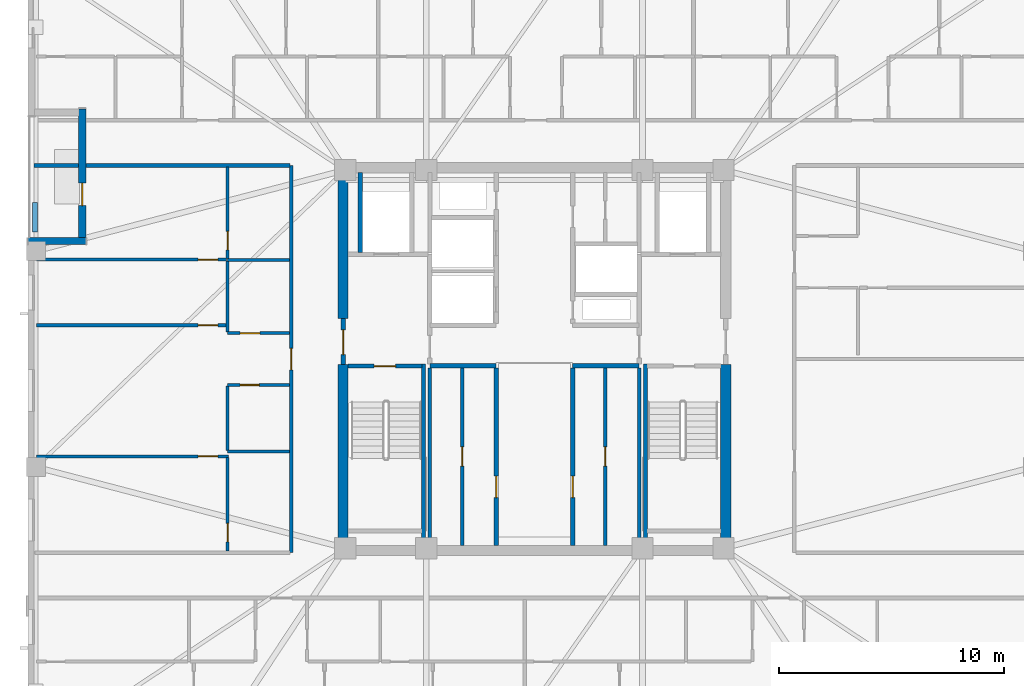
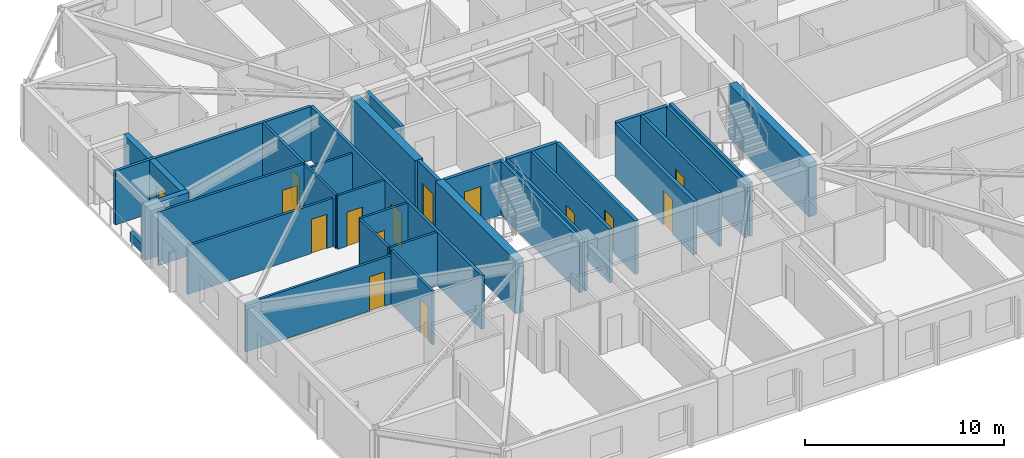
# One storey, part 8 of 17: 32 walls, 15 doors, 15 openings.
"""IFC4 building model written with IfcOpenShell, lengths in metres."""

from ifc_helpers import new_model, si_unit, direction, frame, frame_2d, origin, place, context, subcontext, project, spatial, rectangle, extrude, material, layer, layer_set, type_object, element, fill, save


model = new_model("IFC4")

# Units and contexts
model_context = context("Model", 3, precision=1e-05, world=origin(), true_north=direction((0.0, 1.0)))
body_context = subcontext(model_context, "Body", "Model", "MODEL_VIEW")
ifc_project = project(units=[si_unit("LENGTHUNIT", "METRE"), si_unit("AREAUNIT", "SQUARE_METRE"), si_unit("VOLUMEUNIT", "CUBIC_METRE"), si_unit("PLANEANGLEUNIT", "RADIAN"), si_unit("MASSUNIT", "GRAM", prefix="KILO")], contexts=[model_context])

# Site, building, storey
site_placement = place(None, origin())
site = spatial("IfcSite", under=ifc_project, at=site_placement, CompositionType="ELEMENT")
building_placement = place(site_placement, origin())
building = spatial("IfcBuilding", under=site, at=building_placement, Name="Cairnveth Concourse Tower", CompositionType="ELEMENT")
storey_placement = place(building_placement, frame((0.0, 0.0, 227.0)))
storey = spatial("IfcBuildingStorey", under=building, at=storey_placement, Name="L62", CompositionType="ELEMENT", Elevation=227.0)

# Wall
ifc_material_1 = material(Name="Gypsum Plasterboard Partition", Category="gypsum")
ifc_layer_1 = layer(ifc_material_1, 0.159912109375)
ifc_layer_set_1 = layer_set([ifc_layer_1], Name="Gypsum Plasterboard Partition")
wall_type_1 = type_object("IfcWallType", Name="ACOUSTIC PARTY WALL 180", PredefinedType="PARTITIONING", material=ifc_layer_set_1)
wall_1_placement = place(storey_placement, frame((47.35009765625, 30.7099609375, 0.0), z_axis=(0.0, 0.0, 1.0), x_axis=(0.0, 1.0, 0.0)))
element("IfcWall", 1, at=wall_1_placement, inside=storey, type_object=wall_type_1, Name="Interior Wall IW-L62-025", PredefinedType="PARTITIONING", context=body_context, shape_type="SweptSolid", body=[
    extrude(rectangle(XDim=7.905029296875, YDim=0.159912109375, at=frame_2d((3.95263671875, 0.0))), origin(), (0.0, 0.0, 1.0), 3.2900390625),
])

# Wall, opening, door
wall_2_placement = place(storey_placement, frame((48.800048828125, 30.7099609375, 0.0), z_axis=(0.0, 0.0, 1.0), x_axis=(0.0, 1.0, 0.0)))
wall_2 = element("IfcWall", 2, at=wall_2_placement, inside=storey, type_object=wall_type_1, Name="Interior Wall IW-L62-026", PredefinedType="PARTITIONING", context=body_context, shape_type="SweptSolid", body=[
    extrude(rectangle(XDim=7.905029296875, YDim=0.159912109375, at=frame_2d((3.95263671875, 0.0))), origin(), (0.0, 0.0, 1.0), 3.2900390625),
])
opening_1_placement = place(wall_2_placement, frame((3.5400390625, 0.0, 0.0)))
opening_1 = element("IfcOpeningElement", 3, at=opening_1_placement, cuts=wall_2, Name="Opening ID19", PredefinedType="OPENING", context=body_context, shape_type="SweptSolid", body=[
    extrude(rectangle(XDim=0.85009765625, YDim=2.1201171875, at=frame_2d((0.425048828125, 1.06005859375))), frame((0.0, 0.08984375, 0.0), z_axis=(0.0, -1.0, 0.0), x_axis=(1.0, 0.0, 0.0)), (0.0, 0.0, 1.0), 0.179931640625),
])
ifc_material_2 = material(Name="Steel Grade 350", Category="steel")
door_type_1 = type_object("IfcDoorType", Name="CORE SERVICE DOOR 850X2100", OperationType="NOTDEFINED", PredefinedType="DOOR", material=ifc_material_2)
door_1_placement = place(opening_1_placement, origin())
door_1 = element("IfcDoor", 4, at=door_1_placement, inside=storey, type_object=door_type_1, Name="Inner Store Door L62", OperationType="SINGLE_SWING_RIGHT", OverallHeight=2.1201171875, OverallWidth=0.85009765625, PredefinedType="DOOR", context=body_context, shape_type="SweptSolid", body=[
    extrude(rectangle(XDim=0.85009765625, YDim=2.1201171875, at=frame_2d((0.425048828125, 1.06005859375))), frame((0.0, 0.02490234375, 0.0), z_axis=(0.0, -1.0, 0.0), x_axis=(1.0, 0.0, 0.0)), (0.0, 0.0, 1.0), 0.050048828125),
])
fill(opening_1, door_1)

# Wall
wall_3_placement = place(storey_placement, frame((56.64990234375, 30.7099609375, 0.0), z_axis=(0.0, 0.0, 1.0), x_axis=(0.0, 1.0, 0.0)))
element("IfcWall", 5, at=wall_3_placement, inside=storey, type_object=wall_type_1, Name="Interior Wall IW-L62-027", PredefinedType="PARTITIONING", context=body_context, shape_type="SweptSolid", body=[
    extrude(rectangle(XDim=7.905029296875, YDim=0.159912109375, at=frame_2d((3.95263671875, 0.0))), origin(), (0.0, 0.0, 1.0), 3.2900390625),
])

# Wall, opening, door
wall_4_placement = place(storey_placement, frame((55.14990234375, 30.7099609375, 0.0), z_axis=(0.0, 0.0, 1.0), x_axis=(0.0, 1.0, 0.0)))
wall_4 = element("IfcWall", 6, at=wall_4_placement, inside=storey, type_object=wall_type_1, Name="Interior Wall IW-L62-028", PredefinedType="PARTITIONING", context=body_context, shape_type="SweptSolid", body=[
    extrude(rectangle(XDim=7.905029296875, YDim=0.159912109375, at=frame_2d((3.95263671875, 0.0))), origin(), (0.0, 0.0, 1.0), 3.2900390625),
])
opening_2_placement = place(wall_4_placement, frame((3.5400390625, 0.0, 0.0)))
opening_2 = element("IfcOpeningElement", 7, at=opening_2_placement, cuts=wall_4, Name="Opening ID19", PredefinedType="OPENING", context=body_context, shape_type="SweptSolid", body=[
    extrude(rectangle(XDim=0.85009765625, YDim=2.1201171875, at=frame_2d((0.425048828125, 1.06005859375))), frame((0.0, 0.08984375, 0.0), z_axis=(0.0, -1.0, 0.0), x_axis=(1.0, 0.0, 0.0)), (0.0, 0.0, 1.0), 0.179931640625),
])
door_2_placement = place(opening_2_placement, origin())
door_2 = element("IfcDoor", 8, at=door_2_placement, inside=storey, type_object=door_type_1, Name="Wine Cellar Door L62", OperationType="SINGLE_SWING_RIGHT", OverallHeight=2.1201171875, OverallWidth=0.85009765625, PredefinedType="DOOR", context=body_context, shape_type="SweptSolid", body=[
    extrude(rectangle(XDim=0.85009765625, YDim=2.1201171875, at=frame_2d((0.425048828125, 1.06005859375))), frame((0.0, 0.02490234375, 0.0), z_axis=(0.0, -1.0, 0.0), x_axis=(1.0, 0.0, 0.0)), (0.0, 0.0, 1.0), 0.050048828125),
])
fill(opening_2, door_2)

wall_5_placement = place(storey_placement, frame((41.199951171875, 30.39990234375, 0.0), z_axis=(0.0, 0.0, 1.0), x_axis=(0.0, 1.0, 0.0)))
wall_5 = element("IfcWall", 9, at=wall_5_placement, inside=storey, type_object=wall_type_1, Name="Interior Wall IW-L62-038", PredefinedType="PARTITIONING", context=body_context, shape_type="SweptSolid", body=[
    extrude(rectangle(XDim=17.2001953125, YDim=0.159912109375, at=frame_2d((8.60009765625, 0.0))), origin(), (0.0, 0.0, 1.0), 3.2900390625),
])
opening_3_placement = place(wall_5_placement, frame((8.1201171875, 0.0, 0.0)))
opening_3 = element("IfcOpeningElement", 10, at=opening_3_placement, cuts=wall_5, Name="Opening ID10", PredefinedType="OPENING", context=body_context, shape_type="SweptSolid", body=[
    extrude(rectangle(XDim=0.9599609375, YDim=2.179931640625, at=frame_2d((0.47998046875, 1.08984375))), frame((0.0, 0.08984375, 0.0), z_axis=(0.0, -1.0, 0.0), x_axis=(1.0, 0.0, 0.0)), (0.0, 0.0, 1.0), 0.179931640625),
])
ifc_material_3 = material(Name="Solid Core Hardwood Timber Leaf", Category="wood")
door_type_2 = type_object("IfcDoorType", Name="FLAT ENTRANCE DOOR 960X2150", OperationType="NOTDEFINED", PredefinedType="DOOR", material=ifc_material_3)
door_3_placement = place(opening_3_placement, origin())
door_3 = element("IfcDoor", 11, at=door_3_placement, inside=storey, type_object=door_type_2, Name="Apartment L62W1 Entrance Door", OperationType="SINGLE_SWING_LEFT", OverallHeight=2.179931640625, OverallWidth=0.9599609375, PredefinedType="DOOR", context=body_context, shape_type="SweptSolid", body=[
    extrude(rectangle(XDim=0.9599609375, YDim=2.179931640625, at=frame_2d((0.47998046875, 1.08984375))), frame((0.0, 0.02490234375, 0.0), z_axis=(0.0, -1.0, 0.0), x_axis=(1.0, 0.0, 0.0)), (0.0, 0.0, 1.0), 0.050048828125),
])
fill(opening_3, door_3)

# Walls
wall_6_placement = place(storey_placement, frame((29.77001953125, 47.60009765625, 0.0), z_axis=(0.0, 0.0, 1.0), x_axis=(1.0, 0.0, 0.0)))
element("IfcWall", 12, at=wall_6_placement, inside=storey, type_object=wall_type_1, Name="Interior Wall IW-L62-041", PredefinedType="PARTITIONING", context=body_context, shape_type="SweptSolid", body=[
    extrude(rectangle(XDim=11.364990234375, YDim=0.159912109375, at=frame_2d((5.6826171875, 0.0))), origin(), (0.0, 0.0, 1.0), 3.2900390625),
])
ifc_material_4 = material(Name="Concrete N65 (65 MPa)", Category="concrete")
ifc_layer_2 = layer(ifc_material_4, 0.449951171875)
ifc_layer_set_2 = layer_set([ifc_layer_2], Name="Concrete N65 (65 MPa)")
wall_type_2 = type_object("IfcWallType", Name="CORE SHEAR WALL 450", PredefinedType="SHEAR", material=ifc_layer_set_2)
wall_7_placement = place(storey_placement, frame((43.5, 30.715087890625, 0.0), z_axis=(0.0, 0.0, 1.0), x_axis=(0.0, 1.0, 0.0)))
element("IfcWall", 13, at=wall_7_placement, inside=storey, type_object=wall_type_2, Name="Core West Shear Wall S L62", PredefinedType="SHEAR", context=body_context, shape_type="SweptSolid", body=[
    extrude(rectangle(XDim=8.034912109375, YDim=0.449951171875, at=frame_2d((4.017578125, 0.0))), origin(), (0.0, 0.0, 1.0), 3.2900390625),
])
wall_8_placement = place(storey_placement, frame((43.5, 40.800048828125, 0.0), z_axis=(0.0, 0.0, 1.0), x_axis=(0.0, 1.0, 0.0)))
element("IfcWall", 14, at=wall_8_placement, inside=storey, type_object=wall_type_2, Name="Core West Shear Wall N L62", PredefinedType="SHEAR", context=body_context, shape_type="SweptSolid", body=[
    extrude(rectangle(XDim=6.48486328125, YDim=0.449951171875, at=frame_2d((3.242431640625, 0.0))), origin(), (0.0, 0.0, 1.0), 3.2900390625),
])
wall_9_placement = place(storey_placement, frame((60.5, 30.715087890625, 0.0), z_axis=(0.0, 0.0, 1.0), x_axis=(0.0, 1.0, 0.0)))
element("IfcWall", 15, at=wall_9_placement, inside=storey, type_object=wall_type_2, Name="Core East Shear Wall S L62", PredefinedType="SHEAR", context=body_context, shape_type="SweptSolid", body=[
    extrude(rectangle(XDim=8.034912109375, YDim=0.449951171875, at=frame_2d((4.017578125, 0.0))), origin(), (0.0, 0.0, 1.0), 3.2900390625),
])

# Wall, opening, door
ifc_material_5 = material(Name="Concrete N50 (50 MPa)", Category="concrete")
ifc_layer_3 = layer(ifc_material_5, 0.179931640625)
ifc_layer_set_3 = layer_set([ifc_layer_3], Name="Concrete N50 (50 MPa)")
wall_type_3 = type_object("IfcWallType", Name="FIRE SHAFT WALL 180", PredefinedType="SOLIDWALL", material=ifc_layer_set_3)
wall_10_placement = place(storey_placement, frame((43.715087890625, 38.68994140625, 0.0), z_axis=(0.0, 0.0, 1.0), x_axis=(1.0, 0.0, 0.0)))
wall_10 = element("IfcWall", 16, at=wall_10_placement, inside=storey, type_object=wall_type_3, Name="Stair ST-1 Shaft Wall NEAR L62", PredefinedType="SOLIDWALL", context=body_context, shape_type="SweptSolid", body=[
    extrude(rectangle(XDim=3.280029296875, YDim=0.179931640625, at=frame_2d((1.64013671875, 0.0))), origin(), (0.0, 0.0, 1.0), 3.2900390625),
])
opening_4_placement = place(wall_10_placement, frame((1.1650390625, 0.0, 0.0)))
opening_4 = element("IfcOpeningElement", 17, at=opening_4_placement, cuts=wall_10, Name="Opening ID12", PredefinedType="OPENING", context=body_context, shape_type="SweptSolid", body=[
    extrude(rectangle(XDim=0.949951171875, YDim=2.14990234375, at=frame_2d((0.47509765625, 1.074951171875))), frame((0.0, 0.099853515625, 0.0), z_axis=(0.0, -1.0, 0.0), x_axis=(1.0, 0.0, 0.0)), (0.0, 0.0, 1.0), 0.199951171875),
])
door_type_3 = type_object("IfcDoorType", Name="FIRE STAIR DOOR 950X2150", OperationType="NOTDEFINED", PredefinedType="DOOR", material=ifc_material_2)
door_4_placement = place(opening_4_placement, origin())
door_4 = element("IfcDoor", 18, at=door_4_placement, inside=storey, type_object=door_type_3, Name="Stair ST-1 Fire Door L62", OperationType="SINGLE_SWING_LEFT", OverallHeight=2.14990234375, OverallWidth=0.949951171875, PredefinedType="DOOR", context=body_context, shape_type="SweptSolid", body=[
    extrude(rectangle(XDim=0.949951171875, YDim=2.14990234375, at=frame_2d((0.47509765625, 1.074951171875))), frame((0.0, 0.02490234375, 0.0), z_axis=(0.0, -1.0, 0.0), x_axis=(1.0, 0.0, 0.0)), (0.0, 0.0, 1.0), 0.050048828125),
])
fill(opening_4, door_4)

# Walls
for number, where, z_axis, x_axis, name in (
    (19, (47.070068359375, 38.780029296875, 0.0), (0.0, 0.0, 1.0), (0.0, -1.0, 0.0), "Stair ST-1 Shaft Wall RGHT L62"),
    (20, (56.929931640625, 38.780029296875, 0.0), (0.0, 0.0, 1.0), (0.0, -1.0, 0.0), "Stair ST-2 Shaft Wall LEFT L62"),
):
    element("IfcWall", number, at=place(storey_placement, frame(where, z_axis=z_axis, x_axis=x_axis)), inside=storey, type_object=wall_type_3, Name=name, PredefinedType="SOLIDWALL", context=body_context, shape_type="SweptSolid", body=[
        extrude(rectangle(XDim=8.067138671875, YDim=0.179931640625, at=frame_2d((4.03369140625, 0.0))), origin(), (0.0, 0.0, 1.0), 3.2900390625),
    ])
ifc_layer_4 = layer(ifc_material_5, 0.199951171875)
ifc_layer_set_4 = layer_set([ifc_layer_4], Name="Concrete N50 (50 MPa)")
wall_type_4 = type_object("IfcWallType", Name="FIRE SHAFT WALL 200", PredefinedType="SOLIDWALL", material=ifc_layer_set_4)
for number, where, z_axis, x_axis, name in (
    (21, (47.35009765625, 38.699951171875, 0.0), (0.0, 0.0, 1.0), (1.0, 0.0, 0.0), "Interior Wall IW-L62-007"),
    (22, (53.699951171875, 38.699951171875, 0.0), (0.0, 0.0, 1.0), (1.0, 0.0, 0.0), "Interior Wall IW-L62-009"),
):
    element("IfcWall", number, at=place(storey_placement, frame(where, z_axis=z_axis, x_axis=x_axis)), inside=storey, type_object=wall_type_4, Name=name, PredefinedType="SOLIDWALL", context=body_context, shape_type="SweptSolid", body=[
        extrude(rectangle(XDim=2.949951171875, YDim=0.199951171875, at=frame_2d((1.47509765625, 0.0))), origin(), (0.0, 0.0, 1.0), 3.2900390625),
    ])

# Wall, opening, door
wall_11_placement = place(storey_placement, frame((50.300048828125, 30.7099609375, 0.0), z_axis=(0.0, 0.0, 1.0), x_axis=(0.0, 1.0, 0.0)))
wall_11 = element("IfcWall", 23, at=wall_11_placement, inside=storey, type_object=wall_type_4, Name="Interior Wall IW-L62-011", PredefinedType="SOLIDWALL", context=body_context, shape_type="SweptSolid", body=[
    extrude(rectangle(XDim=7.905029296875, YDim=0.199951171875, at=frame_2d((3.95263671875, 0.0))), origin(), (0.0, 0.0, 1.0), 3.2900390625),
])
opening_5_placement = place(wall_11_placement, frame((2.139892578125, 0.0, 0.0)))
opening_5 = element("IfcOpeningElement", 24, at=opening_5_placement, cuts=wall_11, Name="Opening ID25", PredefinedType="OPENING", context=body_context, shape_type="SweptSolid", body=[
    extrude(rectangle(XDim=0.949951171875, YDim=2.1201171875, at=frame_2d((0.47509765625, 1.06005859375))), frame((0.0, 0.10986328125, 0.0), z_axis=(0.0, -1.0, 0.0), x_axis=(1.0, 0.0, 0.0)), (0.0, 0.0, 1.0), 0.219970703125),
])
door_type_4 = type_object("IfcDoorType", Name="CORE ACCESSIBLE FIRE DOOR 950X2120", OperationType="NOTDEFINED", PredefinedType="DOOR", material=ifc_material_2)
door_5_placement = place(opening_5_placement, origin())
door_5 = element("IfcDoor", 25, at=door_5_placement, inside=storey, type_object=door_type_4, Name="Accessible WC Suite Door L62", OperationType="SINGLE_SWING_LEFT", OverallHeight=2.1201171875, OverallWidth=0.949951171875, PredefinedType="DOOR", context=body_context, shape_type="SweptSolid", body=[
    extrude(rectangle(XDim=0.949951171875, YDim=2.1201171875, at=frame_2d((0.47509765625, 1.06005859375))), frame((0.0, 0.02490234375, 0.0), z_axis=(0.0, -1.0, 0.0), x_axis=(1.0, 0.0, 0.0)), (0.0, 0.0, 1.0), 0.050048828125),
])
fill(opening_5, door_5)

wall_12_placement = place(storey_placement, frame((53.699951171875, 30.7099609375, 0.0), z_axis=(0.0, 0.0, 1.0), x_axis=(0.0, 1.0, 0.0)))
wall_12 = element("IfcWall", 26, at=wall_12_placement, inside=storey, type_object=wall_type_4, Name="Interior Wall IW-L62-012", PredefinedType="SOLIDWALL", context=body_context, shape_type="SweptSolid", body=[
    extrude(rectangle(XDim=7.905029296875, YDim=0.199951171875, at=frame_2d((3.95263671875, 0.0))), origin(), (0.0, 0.0, 1.0), 3.2900390625),
])
opening_6_placement = place(wall_12_placement, frame((2.139892578125, 0.0, 0.0)))
opening_6 = element("IfcOpeningElement", 27, at=opening_6_placement, cuts=wall_12, Name="Opening ID25", PredefinedType="OPENING", context=body_context, shape_type="SweptSolid", body=[
    extrude(rectangle(XDim=0.949951171875, YDim=2.1201171875, at=frame_2d((0.47509765625, 1.06005859375))), frame((0.0, 0.10986328125, 0.0), z_axis=(0.0, -1.0, 0.0), x_axis=(1.0, 0.0, 0.0)), (0.0, 0.0, 1.0), 0.219970703125),
])
door_6_placement = place(opening_6_placement, origin())
door_6 = element("IfcDoor", 28, at=door_6_placement, inside=storey, type_object=door_type_4, Name="Sky Restroom Door L62", OperationType="SINGLE_SWING_LEFT", OverallHeight=2.1201171875, OverallWidth=0.949951171875, PredefinedType="DOOR", context=body_context, shape_type="SweptSolid", body=[
    extrude(rectangle(XDim=0.949951171875, YDim=2.1201171875, at=frame_2d((0.47509765625, 1.06005859375))), frame((0.0, 0.02490234375, 0.0), z_axis=(0.0, -1.0, 0.0), x_axis=(1.0, 0.0, 0.0)), (0.0, 0.0, 1.0), 0.050048828125),
])
fill(opening_6, door_6)

wall_13_placement = place(storey_placement, frame((43.5, 38.75, 0.0), z_axis=(0.0, 0.0, 1.0), x_axis=(0.0, 1.0, 0.0)))
wall_13 = element("IfcWall", 29, at=wall_13_placement, inside=storey, type_object=wall_type_4, Name="Interior Wall IW-L62-015", PredefinedType="SOLIDWALL", context=body_context, shape_type="SweptSolid", body=[
    extrude(rectangle(XDim=2.050048828125, YDim=0.199951171875, at=frame_2d((1.02490234375, 0.0))), origin(), (0.0, 0.0, 1.0), 3.2900390625),
])
opening_7_placement = place(wall_13_placement, frame((0.449951171875, 0.0, 0.0)))
opening_7 = element("IfcOpeningElement", 30, at=opening_7_placement, cuts=wall_13, Name="Opening ID06", PredefinedType="OPENING", context=body_context, shape_type="SweptSolid", body=[
    extrude(rectangle(XDim=1.10009765625, YDim=2.14990234375, at=frame_2d((0.550048828125, 1.074951171875))), frame((0.0, 0.10986328125, 0.0), z_axis=(0.0, -1.0, 0.0), x_axis=(1.0, 0.0, 0.0)), (0.0, 0.0, 1.0), 0.219970703125),
])
door_type_5 = type_object("IfcDoorType", Name="FIRE CORRIDOR DOOR 1100X2150", OperationType="NOTDEFINED", PredefinedType="DOOR", material=ifc_material_2)
door_7_placement = place(opening_7_placement, origin())
door_7 = element("IfcDoor", 31, at=door_7_placement, inside=storey, type_object=door_type_5, Name="West Wing to FF Lobby Door L62", OperationType="SINGLE_SWING_LEFT", OverallHeight=2.14990234375, OverallWidth=1.10009765625, PredefinedType="DOOR", context=body_context, shape_type="SweptSolid", body=[
    extrude(rectangle(XDim=1.10009765625, YDim=2.14990234375, at=frame_2d((0.550048828125, 1.074951171875))), frame((0.0, 0.02490234375, 0.0), z_axis=(0.0, -1.0, 0.0), x_axis=(1.0, 0.0, 0.0)), (0.0, 0.0, 1.0), 0.050048828125),
])
fill(opening_7, door_7)

# Wall
wall_14_placement = place(storey_placement, frame((44.25, 43.735107421875, 0.0), z_axis=(0.0, 0.0, 1.0), x_axis=(0.0, 1.0, 0.0)))
element("IfcWall", 32, at=wall_14_placement, inside=storey, type_object=wall_type_4, Name="Interior Wall IW-L62-019", PredefinedType="SOLIDWALL", context=body_context, shape_type="SweptSolid", body=[
    extrude(rectangle(XDim=3.554931640625, YDim=0.199951171875, at=frame_2d((1.77734375, 0.0))), origin(), (0.0, 0.0, 1.0), 3.2900390625),
])

# Wall, opening, door
ifc_layer_5 = layer(ifc_material_1, 0.139892578125)
ifc_layer_set_5 = layer_set([ifc_layer_5], Name="Gypsum Plasterboard Partition")
wall_type_5 = type_object("IfcWallType", Name="GYPSUM STUD PARTITION 140", PredefinedType="PARTITIONING", material=ifc_layer_set_5)
wall_15_placement = place(storey_placement, frame((29.8798828125, 34.679931640625, 0.0), z_axis=(0.0, 0.0, 1.0), x_axis=(1.0, 0.0, 0.0)))
wall_15 = element("IfcWall", 33, at=wall_15_placement, inside=storey, type_object=wall_type_5, Name="Interior Wall IW-L62-105", PredefinedType="PARTITIONING", context=body_context, shape_type="SweptSolid", body=[
    extrude(rectangle(XDim=8.530029296875, YDim=0.139892578125, at=frame_2d((4.26513671875, 0.0))), origin(), (0.0, 0.0, 1.0), 2.9580078125),
])
opening_8_placement = place(wall_15_placement, frame((7.179931640625, 0.0, 0.0)))
opening_8 = element("IfcOpeningElement", 34, at=opening_8_placement, cuts=wall_15, Name="Opening ID18", PredefinedType="OPENING", context=body_context, shape_type="SweptSolid", body=[
    extrude(rectangle(XDim=0.8798828125, YDim=2.10009765625, at=frame_2d((0.43994140625, 1.050048828125))), frame((0.0, 0.079833984375, 0.0), z_axis=(0.0, -1.0, 0.0), x_axis=(1.0, 0.0, 0.0)), (0.0, 0.0, 1.0), 0.159912109375),
])
door_type_6 = type_object("IfcDoorType", Name="INTERIOR SINGLE DOOR 880X2100", OperationType="NOTDEFINED", PredefinedType="DOOR", material=ifc_material_3)
door_8_placement = place(opening_8_placement, origin())
door_8 = element("IfcDoor", 35, at=door_8_placement, inside=storey, type_object=door_type_6, Name="L62W1 Master Bedroom Door", OperationType="SINGLE_SWING_LEFT", OverallHeight=2.10009765625, OverallWidth=0.8798828125, PredefinedType="DOOR", context=body_context, shape_type="SweptSolid", body=[
    extrude(rectangle(XDim=0.8798828125, YDim=2.10009765625, at=frame_2d((0.43994140625, 1.050048828125))), frame((0.0, 0.02490234375, 0.0), z_axis=(0.0, -1.0, 0.0), x_axis=(1.0, 0.0, 0.0)), (0.0, 0.0, 1.0), 0.050048828125),
])
fill(opening_8, door_8)

wall_16_placement = place(storey_placement, frame((38.3701171875, 30.465087890625, 0.0), z_axis=(0.0, 0.0, 1.0), x_axis=(0.0, 1.0, 0.0)))
wall_16 = element("IfcWall", 36, at=wall_16_placement, inside=storey, type_object=wall_type_5, Name="Interior Wall IW-L62-106", PredefinedType="PARTITIONING", context=body_context, shape_type="SweptSolid", body=[
    extrude(rectangle(XDim=4.159912109375, YDim=0.139892578125, at=frame_2d((2.080078125, 0.0))), origin(), (0.0, 0.0, 1.0), 3.2900390625),
])
opening_9_placement = place(wall_16_placement, frame((0.4150390625, 0.0, 0.0)))
opening_9 = element("IfcOpeningElement", 37, at=opening_9_placement, cuts=wall_16, Name="Opening ID22", PredefinedType="OPENING", context=body_context, shape_type="SweptSolid", body=[
    extrude(rectangle(XDim=0.820068359375, YDim=2.10009765625, at=frame_2d((0.41015625, 1.050048828125))), frame((0.0, 0.079833984375, 0.0), z_axis=(0.0, -1.0, 0.0), x_axis=(1.0, 0.0, 0.0)), (0.0, 0.0, 1.0), 0.159912109375),
])
door_type_7 = type_object("IfcDoorType", Name="INTERIOR WC DOOR 820X2100", OperationType="NOTDEFINED", PredefinedType="DOOR", material=ifc_material_3)
door_9_placement = place(opening_9_placement, origin())
door_9 = element("IfcDoor", 38, at=door_9_placement, inside=storey, type_object=door_type_7, Name="L62W1 Dressing Door", OperationType="SINGLE_SWING_RIGHT", OverallHeight=2.10009765625, OverallWidth=0.820068359375, PredefinedType="DOOR", context=body_context, shape_type="SweptSolid", body=[
    extrude(rectangle(XDim=0.820068359375, YDim=2.10009765625, at=frame_2d((0.41015625, 1.050048828125))), frame((0.0, 0.02490234375, 0.0), z_axis=(0.0, -1.0, 0.0), x_axis=(1.0, 0.0, 0.0)), (0.0, 0.0, 1.0), 0.050048828125),
])
fill(opening_9, door_9)

wall_17_placement = place(storey_placement, frame((29.8798828125, 43.419921875, 0.0), z_axis=(0.0, 0.0, 1.0), x_axis=(1.0, 0.0, 0.0)))
wall_17 = element("IfcWall", 39, at=wall_17_placement, inside=storey, type_object=wall_type_5, Name="Interior Wall IW-L62-107", PredefinedType="PARTITIONING", context=body_context, shape_type="SweptSolid", body=[
    extrude(rectangle(XDim=8.440185546875, YDim=0.139892578125, at=frame_2d((4.22021484375, 0.0))), origin(), (0.0, 0.0, 1.0), 3.2900390625),
])
opening_10_placement = place(wall_17_placement, frame((7.179931640625, 0.0, 0.0)))
opening_10 = element("IfcOpeningElement", 40, at=opening_10_placement, cuts=wall_17, Name="Opening ID18", PredefinedType="OPENING", context=body_context, shape_type="SweptSolid", body=[
    extrude(rectangle(XDim=0.8798828125, YDim=2.10009765625, at=frame_2d((0.43994140625, 1.050048828125))), frame((0.0, 0.079833984375, 0.0), z_axis=(0.0, -1.0, 0.0), x_axis=(1.0, 0.0, 0.0)), (0.0, 0.0, 1.0), 0.159912109375),
])
door_10_placement = place(opening_10_placement, origin())
door_10 = element("IfcDoor", 41, at=door_10_placement, inside=storey, type_object=door_type_6, Name="L62W1 Bedroom 2 Door", OperationType="SINGLE_SWING_LEFT", OverallHeight=2.10009765625, OverallWidth=0.8798828125, PredefinedType="DOOR", context=body_context, shape_type="SweptSolid", body=[
    extrude(rectangle(XDim=0.8798828125, YDim=2.10009765625, at=frame_2d((0.43994140625, 1.050048828125))), frame((0.0, 0.02490234375, 0.0), z_axis=(0.0, -1.0, 0.0), x_axis=(1.0, 0.0, 0.0)), (0.0, 0.0, 1.0), 0.050048828125),
])
fill(opening_10, door_10)

wall_18_placement = place(storey_placement, frame((38.3701171875, 43.47509765625, 0.0), z_axis=(0.0, 0.0, 1.0), x_axis=(0.0, 1.0, 0.0)))
wall_18 = element("IfcWall", 42, at=wall_18_placement, inside=storey, type_object=wall_type_5, Name="Interior Wall IW-L62-108", PredefinedType="PARTITIONING", context=body_context, shape_type="SweptSolid", body=[
    extrude(rectangle(XDim=4.059814453125, YDim=0.139892578125, at=frame_2d((2.02978515625, 0.0))), origin(), (0.0, 0.0, 1.0), 3.2900390625),
])
opening_11_placement = place(wall_18_placement, frame((0.375, 0.0, 0.0)))
opening_11 = element("IfcOpeningElement", 43, at=opening_11_placement, cuts=wall_18, Name="Opening ID22", PredefinedType="OPENING", context=body_context, shape_type="SweptSolid", body=[
    extrude(rectangle(XDim=0.820068359375, YDim=2.10009765625, at=frame_2d((0.41015625, 1.050048828125))), frame((0.0, 0.079833984375, 0.0), z_axis=(0.0, -1.0, 0.0), x_axis=(1.0, 0.0, 0.0)), (0.0, 0.0, 1.0), 0.159912109375),
])
door_11_placement = place(opening_11_placement, origin())
door_11 = element("IfcDoor", 44, at=door_11_placement, inside=storey, type_object=door_type_7, Name="L62W1 Utility Door", OperationType="SINGLE_SWING_RIGHT", OverallHeight=2.10009765625, OverallWidth=0.820068359375, PredefinedType="DOOR", context=body_context, shape_type="SweptSolid", body=[
    extrude(rectangle(XDim=0.820068359375, YDim=2.10009765625, at=frame_2d((0.41015625, 1.050048828125))), frame((0.0, 0.02490234375, 0.0), z_axis=(0.0, -1.0, 0.0), x_axis=(1.0, 0.0, 0.0)), (0.0, 0.0, 1.0), 0.050048828125),
])
fill(opening_11, door_11)

wall_19_placement = place(storey_placement, frame((29.8798828125, 40.5, 0.0), z_axis=(0.0, 0.0, 1.0), x_axis=(1.0, 0.0, 0.0)))
wall_19 = element("IfcWall", 45, at=wall_19_placement, inside=storey, type_object=wall_type_5, Name="Interior Wall IW-L62-109", PredefinedType="PARTITIONING", context=body_context, shape_type="SweptSolid", body=[
    extrude(rectangle(XDim=8.440185546875, YDim=0.139892578125, at=frame_2d((4.22021484375, 0.0))), origin(), (0.0, 0.0, 1.0), 2.9580078125),
])
opening_12_placement = place(wall_19_placement, frame((7.179931640625, 0.0, 0.0)))
opening_12 = element("IfcOpeningElement", 46, at=opening_12_placement, cuts=wall_19, Name="Opening ID18", PredefinedType="OPENING", context=body_context, shape_type="SweptSolid", body=[
    extrude(rectangle(XDim=0.8798828125, YDim=2.10009765625, at=frame_2d((0.43994140625, 1.050048828125))), frame((0.0, 0.079833984375, 0.0), z_axis=(0.0, -1.0, 0.0), x_axis=(1.0, 0.0, 0.0)), (0.0, 0.0, 1.0), 0.159912109375),
])
door_12_placement = place(opening_12_placement, origin())
door_12 = element("IfcDoor", 47, at=door_12_placement, inside=storey, type_object=door_type_6, Name="L62W1 Media Lounge Door", OperationType="SINGLE_SWING_RIGHT", OverallHeight=2.10009765625, OverallWidth=0.8798828125, PredefinedType="DOOR", context=body_context, shape_type="SweptSolid", body=[
    extrude(rectangle(XDim=0.8798828125, YDim=2.10009765625, at=frame_2d((0.43994140625, 1.050048828125))), frame((0.0, 0.02490234375, 0.0), z_axis=(0.0, -1.0, 0.0), x_axis=(1.0, 0.0, 0.0)), (0.0, 0.0, 1.0), 0.050048828125),
])
fill(opening_12, door_12)

# Walls
ifc_material_6 = material(Name="Dressed Melbourne Bluestone Cladding", Category="masonry")
ifc_layer_6 = layer(ifc_material_6, 0.219970703125)
ifc_layer_set_6 = layer_set([ifc_layer_6], Name="Dressed Melbourne Bluestone Cladding")
wall_type_6 = type_object("IfcWallType", Name="TERRACE PLANTER CURB WALL 220", PredefinedType="PARAPET", material=ifc_layer_set_6)
wall_20_placement = place(storey_placement, frame((29.820068359375, 44.64990234375, 0.0), z_axis=(0.0, 0.0, 1.0), x_axis=(0.0, 1.0, 0.0)))
element("IfcWall", 48, at=wall_20_placement, inside=storey, type_object=wall_type_6, Name="Exterior Wall PLNT-L62-TERR", PredefinedType="PARAPET", context=body_context, shape_type="SweptSolid", body=[
    extrude(rectangle(XDim=1.300048828125, YDim=0.219970703125, at=frame_2d((0.64990234375, 0.0))), origin(), (0.0, 0.0, 1.0), 0.550048828125),
])
ifc_layer_7 = layer(ifc_material_1, 0.1298828125)
ifc_layer_set_7 = layer_set([ifc_layer_7], Name="Gypsum Plasterboard Partition")
wall_type_7 = type_object("IfcWallType", Name="WET AREA PARTITION 140", PredefinedType="PLUMBINGWALL", material=ifc_layer_set_7)
wall_21_placement = place(storey_placement, frame((38.3701171875, 34.89990234375, 0.0), z_axis=(0.0, 0.0, 1.0), x_axis=(1.0, 0.0, 0.0)))
element("IfcWall", 49, at=wall_21_placement, inside=storey, type_object=wall_type_7, Name="Interior Wall IW-L62-099", PredefinedType="PLUMBINGWALL", context=body_context, shape_type="SweptSolid", body=[
    extrude(rectangle(XDim=2.75, YDim=0.1298828125, at=frame_2d((1.375, 0.0))), origin(), (0.0, 0.0, 1.0), 3.2900390625),
])

# Wall, opening, door
wall_22_placement = place(storey_placement, frame((38.3701171875, 37.85009765625, 0.0), z_axis=(0.0, 0.0, 1.0), x_axis=(1.0, 0.0, 0.0)))
wall_22 = element("IfcWall", 50, at=wall_22_placement, inside=storey, type_object=wall_type_7, Name="Interior Wall IW-L62-100", PredefinedType="PLUMBINGWALL", context=body_context, shape_type="SweptSolid", body=[
    extrude(rectangle(XDim=2.75, YDim=0.1298828125, at=frame_2d((1.375, 0.0))), origin(), (0.0, 0.0, 1.0), 3.2900390625),
])
opening_13_placement = place(wall_22_placement, frame((0.550048828125, 0.0, 0.0)))
opening_13 = element("IfcOpeningElement", 51, at=opening_13_placement, cuts=wall_22, Name="Opening ID21", PredefinedType="OPENING", context=body_context, shape_type="SweptSolid", body=[
    extrude(rectangle(XDim=0.85009765625, YDim=2.080078125, at=frame_2d((0.425048828125, 1.0400390625))), frame((0.0, 0.074951171875, 0.0), z_axis=(0.0, -1.0, 0.0), x_axis=(1.0, 0.0, 0.0)), (0.0, 0.0, 1.0), 0.14990234375),
])
door_type_8 = type_object("IfcDoorType", Name="INTERIOR WC DOOR 850X2100", OperationType="NOTDEFINED", PredefinedType="DOOR", material=ifc_material_3)
door_13_placement = place(opening_13_placement, origin())
door_13 = element("IfcDoor", 52, at=door_13_placement, inside=storey, type_object=door_type_8, Name="L62W1 Bathroom Door", OperationType="SINGLE_SWING_RIGHT", OverallHeight=2.080078125, OverallWidth=0.85009765625, PredefinedType="DOOR", context=body_context, shape_type="SweptSolid", body=[
    extrude(rectangle(XDim=0.85009765625, YDim=2.080078125, at=frame_2d((0.425048828125, 1.0400390625))), frame((0.0, 0.02490234375, 0.0), z_axis=(0.0, -1.0, 0.0), x_axis=(1.0, 0.0, 0.0)), (0.0, 0.0, 1.0), 0.050048828125),
])
fill(opening_13, door_13)

# Walls
wall_23_placement = place(storey_placement, frame((38.3701171875, 34.949951171875, 0.0), z_axis=(0.0, 0.0, 1.0), x_axis=(0.0, 1.0, 0.0)))
element("IfcWall", 53, at=wall_23_placement, inside=storey, type_object=wall_type_7, Name="Interior Wall IW-L62-101", PredefinedType="PLUMBINGWALL", context=body_context, shape_type="SweptSolid", body=[
    extrude(rectangle(XDim=2.85009765625, YDim=0.1298828125, at=frame_2d((1.425048828125, 0.0))), origin(), (0.0, 0.0, 1.0), 3.2900390625),
])
wall_24_placement = place(storey_placement, frame((38.3701171875, 43.39990234375, 0.0), z_axis=(0.0, 0.0, 1.0), x_axis=(1.0, 0.0, 0.0)))
element("IfcWall", 54, at=wall_24_placement, inside=storey, type_object=wall_type_7, Name="Interior Wall IW-L62-102", PredefinedType="PLUMBINGWALL", context=body_context, shape_type="SweptSolid", body=[
    extrude(rectangle(XDim=2.75, YDim=0.1298828125, at=frame_2d((1.375, 0.0))), origin(), (0.0, 0.0, 1.0), 2.9580078125),
])

# Wall, opening, door
wall_25_placement = place(storey_placement, frame((38.3701171875, 40.14990234375, 0.0), z_axis=(0.0, 0.0, 1.0), x_axis=(1.0, 0.0, 0.0)))
wall_25 = element("IfcWall", 55, at=wall_25_placement, inside=storey, type_object=wall_type_7, Name="Interior Wall IW-L62-103", PredefinedType="PLUMBINGWALL", context=body_context, shape_type="SweptSolid", body=[
    extrude(rectangle(XDim=2.75, YDim=0.1298828125, at=frame_2d((1.375, 0.0))), origin(), (0.0, 0.0, 1.0), 3.2900390625),
])
opening_14_placement = place(wall_25_placement, frame((0.550048828125, 0.0, 0.0)))
opening_14 = element("IfcOpeningElement", 56, at=opening_14_placement, cuts=wall_25, Name="Opening ID18", PredefinedType="OPENING", context=body_context, shape_type="SweptSolid", body=[
    extrude(rectangle(XDim=0.8798828125, YDim=2.10009765625, at=frame_2d((0.43994140625, 1.050048828125))), frame((0.0, 0.074951171875, 0.0), z_axis=(0.0, -1.0, 0.0), x_axis=(1.0, 0.0, 0.0)), (0.0, 0.0, 1.0), 0.14990234375),
])
door_14_placement = place(opening_14_placement, origin())
door_14 = element("IfcDoor", 57, at=door_14_placement, inside=storey, type_object=door_type_6, Name="L62W1 Kitchen Door", OperationType="SINGLE_SWING_LEFT", OverallHeight=2.10009765625, OverallWidth=0.8798828125, PredefinedType="DOOR", context=body_context, shape_type="SweptSolid", body=[
    extrude(rectangle(XDim=0.8798828125, YDim=2.10009765625, at=frame_2d((0.43994140625, 1.050048828125))), frame((0.0, 0.02490234375, 0.0), z_axis=(0.0, -1.0, 0.0), x_axis=(1.0, 0.0, 0.0)), (0.0, 0.0, 1.0), 0.050048828125),
])
fill(opening_14, door_14)

# Walls
wall_26_placement = place(storey_placement, frame((38.3701171875, 40.199951171875, 0.0), z_axis=(0.0, 0.0, 1.0), x_axis=(0.0, 1.0, 0.0)))
element("IfcWall", 58, at=wall_26_placement, inside=storey, type_object=wall_type_7, Name="Interior Wall IW-L62-104", PredefinedType="PLUMBINGWALL", context=body_context, shape_type="SweptSolid", body=[
    extrude(rectangle(XDim=3.150146484375, YDim=0.1298828125, at=frame_2d((1.5751953125, 0.0))), origin(), (0.0, 0.0, 1.0), 3.2900390625),
])
ifc_material_7 = material(Name="Melbourne Buff Fired Clay Brick Masonry", Category="masonry")
ifc_layer_8 = layer(ifc_material_7, 0.320068359375)
ifc_layer_set_8 = layer_set([ifc_layer_8], Name="Melbourne Buff Fired Clay Brick Masonry")
wall_type_8 = type_object("IfcWallType", Name="ZONE 3 BRICK PIER SPANDREL WALL 320", PredefinedType="SOLIDWALL", material=ifc_layer_set_8)
wall_27_placement = place(storey_placement, frame((29.5, 44.239990234375, 0.0), z_axis=(0.0, 0.0, 1.0), x_axis=(1.0, 0.0, 0.0)))
element("IfcWall", 59, at=wall_27_placement, inside=storey, type_object=wall_type_8, Name="Exterior Wall EW-L62-S13", PredefinedType="SOLIDWALL", context=body_context, shape_type="SweptSolid", body=[
    extrude(rectangle(XDim=2.570068359375, YDim=0.320068359375, at=frame_2d((1.28515625, 0.0))), origin(), (0.0, 0.0, 1.0), 3.2900390625),
])

# Wall, opening, door
wall_28_placement = place(storey_placement, frame((31.909912109375, 44.3779296875, 0.0), z_axis=(0.0, 0.0, 1.0), x_axis=(0.0, 1.0, 0.0)))
wall_28 = element("IfcWall", 60, at=wall_28_placement, inside=storey, type_object=wall_type_8, Name="Exterior Wall EW-L62-S14", PredefinedType="SOLIDWALL", context=body_context, shape_type="SweptSolid", body=[
    extrude(rectangle(XDim=5.7421875, YDim=0.320068359375, at=frame_2d((2.87109375, 0.0))), origin(), (0.0, 0.0, 1.0), 3.2900390625),
])
opening_15_placement = place(wall_28_placement, frame((1.43603515625, 0.0, 0.0)))
opening_15 = element("IfcOpeningElement", 61, at=opening_15_placement, cuts=wall_28, Name="Opening ED4", PredefinedType="OPENING", context=body_context, shape_type="SweptSolid", body=[
    extrude(rectangle(XDim=1.0, YDim=2.14990234375, at=frame_2d((0.5, 1.074951171875))), frame((0.0, 0.169921875, 0.0), z_axis=(0.0, -1.0, 0.0), x_axis=(1.0, 0.0, 0.0)), (0.0, 0.0, 1.0), 0.340087890625),
])
ifc_material_8 = material(Name="Architectural Bronze Anodised Aluminium 6063-T6", Category="aluminium")
door_type_9 = type_object("IfcDoorType", Name="TERRACE GLAZED DOOR 1000X2150", OperationType="NOTDEFINED", PredefinedType="DOOR", material=ifc_material_8)
door_15_placement = place(opening_15_placement, origin())
door_15 = element("IfcDoor", 62, at=door_15_placement, inside=storey, type_object=door_type_9, Name="Spiral Terrace Door L62", OperationType="SINGLE_SWING_LEFT", OverallHeight=2.14990234375, OverallWidth=1.0, PredefinedType="DOOR", context=body_context, shape_type="SweptSolid", body=[
    extrude(rectangle(XDim=1.0, YDim=2.14990234375, at=frame_2d((0.5, 1.074951171875))), frame((0.0, 0.02490234375, 0.0), z_axis=(0.0, -1.0, 0.0), x_axis=(1.0, 0.0, 0.0)), (0.0, 0.0, 1.0), 0.050048828125),
])
fill(opening_15, door_15)

save(model, "model.ifc")
